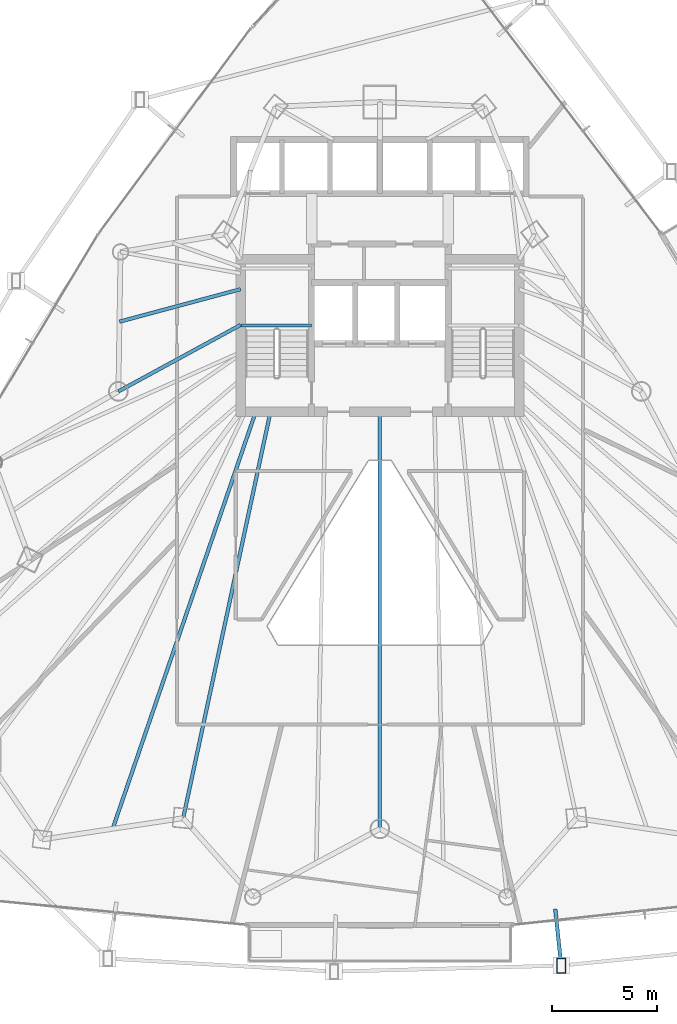
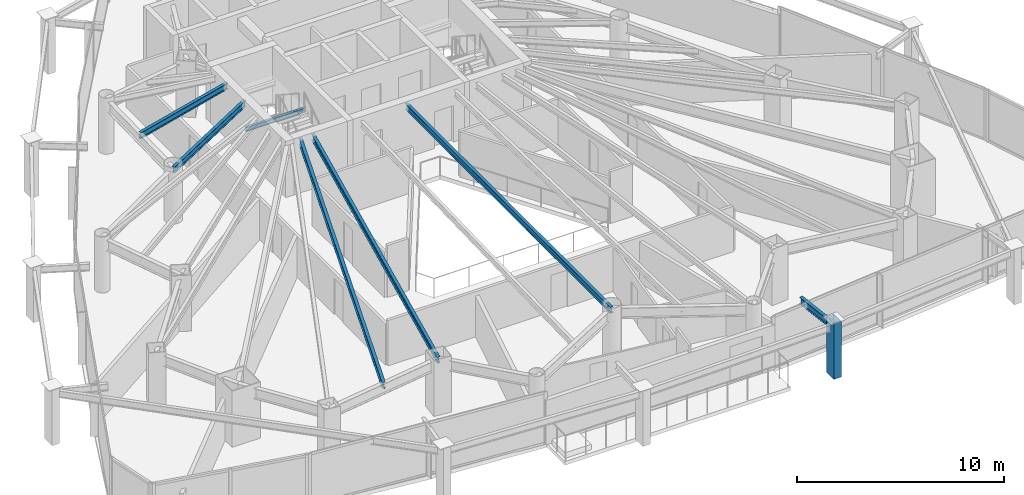
# One storey, part 12 of 33: 7 beams, 1 member.
"""IFC4 building model written with IfcOpenShell, lengths in metres."""

from ifc_helpers import new_model, si_unit, direction, frame, origin, origin_2d, place, context, subcontext, project, spatial, hollow_rectangle, i_section, extrude, material, material_profile, profile_set, type_object, element, save


model = new_model("IFC4")

# Units and contexts
model_context = context("Model", 3, precision=1e-05, world=origin(), true_north=direction((0.0, 1.0)))
body_context = subcontext(model_context, "Body", "Model", "MODEL_VIEW")
ifc_project = project(units=[si_unit("LENGTHUNIT", "METRE"), si_unit("AREAUNIT", "SQUARE_METRE"), si_unit("VOLUMEUNIT", "CUBIC_METRE"), si_unit("PLANEANGLEUNIT", "RADIAN"), si_unit("MASSUNIT", "GRAM", prefix="KILO")], contexts=[model_context])

# Site, building, storey
site_placement = place(None, origin())
site = spatial("IfcSite", under=ifc_project, at=site_placement, CompositionType="ELEMENT")
building_placement = place(site_placement, origin())
building = spatial("IfcBuilding", under=site, at=building_placement, Name="Orvanel Arch Residences", CompositionType="ELEMENT")
storey_placement = place(building_placement, frame((0.0, 0.0, 87.35009765625)))
storey = spatial("IfcBuildingStorey", under=building, at=storey_placement, Name="L24", CompositionType="ELEMENT", Elevation=87.35009765625)

# Beams
ifc_material_1 = material(Name="Structural steel AS/NZS 3679.1 Grade 300 (300 MPa)", Category="steel")
ifc_material_profile_1 = material_profile(ifc_material_1, i_section(OverallWidth=0.14599609375, OverallDepth=0.251953125, WebThickness=0.006103515625, FlangeThickness=0.008544921875, at=origin_2d()), Name="250UB31.4")
ifc_profile_set_1 = profile_set([ifc_material_profile_1], Name="Structural steel AS/NZS 3679.1 Grade 300 (300 MPa)")
beam_type_1 = type_object("IfcBeamType", Name="BJ-250UB", PredefinedType="JOIST", material=ifc_profile_set_1)
beam_1_placement = place(storey_placement, frame((26.39990234375, 30.780029296875, 1.323974609375), z_axis=(1.0, 0.0, 0.0), x_axis=(0.0, 1.0, 0.0)))
element("IfcBeam", 1, at=beam_1_placement, inside=storey, type_object=beam_type_1, Name="L24 ST-1 Half-Landing Support Beam 1.1", PredefinedType="JOIST", context=body_context, shape_type="SweptSolid", body=[
    extrude(i_section(OverallWidth=0.14599609375, OverallDepth=0.251953125, WebThickness=0.006103515625, FlangeThickness=0.008544921875, at=origin_2d()), origin(), (0.0, 0.0, 1.0), 3.35009765625),
])
ifc_material_profile_2 = material_profile(ifc_material_1, i_section(OverallWidth=0.1708984375, OverallDepth=0.35595703125, WebThickness=0.00732421875, FlangeThickness=0.011474609375, at=origin_2d()), Name="360UB50.7")
ifc_profile_set_2 = profile_set([ifc_material_profile_2], Name="Structural steel AS/NZS 3679.1 Grade 300 (300 MPa)")
beam_type_2 = type_object("IfcBeamType", Name="BJ-360UB", PredefinedType="JOIST", material=ifc_profile_set_2)
beam_2_placement = place(storey_placement, frame((26.375, 30.800048828125, 2.8818359375), z_axis=(-0.878399029914, -0.477927969726, 0.0), x_axis=(0.477927969726, -0.878399029914, 0.0)))
element("IfcBeam", 2, at=beam_2_placement, inside=storey, type_object=beam_type_2, Name="L24 NW Wing Floor Joist", PredefinedType="JOIST", context=body_context, shape_type="SweptSolid", body=[
    extrude(i_section(OverallWidth=0.1708984375, OverallDepth=0.35595703125, WebThickness=0.00732421875, FlangeThickness=0.011474609375, at=origin_2d()), origin(), (0.0, 0.0, 1.0), 6.609619140625),
])
beam_3_placement = place(storey_placement, frame((27.800048828125, 26.675048828125, 2.8818359375), z_axis=(-0.210066515515, -0.977687096703, 0.0), x_axis=(0.977687096703, -0.210066515515, 0.0)))
element("IfcBeam", 3, at=beam_3_placement, inside=storey, type_object=beam_type_2, Name="L24 SW Wing Floor Joist", PredefinedType="JOIST", context=body_context, shape_type="SweptSolid", body=[
    extrude(i_section(OverallWidth=0.1708984375, OverallDepth=0.35595703125, WebThickness=0.00732421875, FlangeThickness=0.011474609375, at=origin_2d()), origin(), (0.0, 0.0, 1.0), 19.760986328125),
])
beam_4_placement = place(storey_placement, frame((33.0, 26.675048828125, 2.8818359375), z_axis=(0.0, -1.0, 0.0), x_axis=(1.0, 0.0, 0.0)))
element("IfcBeam", 4, at=beam_4_placement, inside=storey, type_object=beam_type_2, Name="L24 SSW Wing Floor Joist", PredefinedType="JOIST", context=body_context, shape_type="SweptSolid", body=[
    extrude(i_section(OverallWidth=0.1708984375, OverallDepth=0.35595703125, WebThickness=0.00732421875, FlangeThickness=0.011474609375, at=origin_2d()), origin(), (0.0, 0.0, 1.0), 19.8310546875),
])
beam_5_placement = place(storey_placement, frame((26.375, 32.5, 2.8818359375), z_axis=(-0.965844838168, -0.259121107949, 0.0), x_axis=(0.259121107949, -0.965844838168, 0.0)))
element("IfcBeam", 5, at=beam_5_placement, inside=storey, type_object=beam_type_2, Name="L24 WNW Wing Floor Joist", PredefinedType="JOIST", context=body_context, shape_type="SweptSolid", body=[
    extrude(i_section(OverallWidth=0.1708984375, OverallDepth=0.35595703125, WebThickness=0.00732421875, FlangeThickness=0.011474609375, at=origin_2d()), origin(), (0.0, 0.0, 1.0), 5.95849609375),
])
beam_6_placement = place(storey_placement, frame((27.10009765625, 26.675048828125, 2.8818359375), z_axis=(-0.324621456495, -0.945844019901, 0.0), x_axis=(0.945844019901, -0.324621456495, 0.0)))
element("IfcBeam", 6, at=beam_6_placement, inside=storey, type_object=beam_type_2, Name="L24 JADD1 Wing Floor Joist", PredefinedType="JOIST", context=body_context, shape_type="SweptSolid", body=[
    extrude(i_section(OverallWidth=0.1708984375, OverallDepth=0.35595703125, WebThickness=0.00732421875, FlangeThickness=0.011474609375, at=origin_2d()), origin(), (0.0, 0.0, 1.0), 20.96337890625),
])

# Member
ifc_material_2 = material(Name="Structural steel AS/NZS 3678 Grade 350", Category="steel")
ifc_material_profile_3 = material_profile(ifc_material_2, hollow_rectangle(XDim=0.419921875, YDim=0.719970703125, WallThickness=0.02490234375, at=origin_2d()), Name="RHS720x420x25")
ifc_profile_set_3 = profile_set([ifc_material_profile_3], Name="Structural steel AS/NZS 3678 Grade 350")
member_type = type_object("IfcMemberType", Name="CH-720RHS-EXT", PredefinedType="CHORD", material=ifc_profile_set_3)
member_placement = place(storey_placement, frame((41.6201171875, 0.343017578125, 0.0), z_axis=(0.0, 0.0, 1.0), x_axis=(1.0, 0.0, 0.0)))
element("IfcMember", 7, at=member_placement, inside=storey, type_object=member_type, Name="L24 Outer Perimeter Frame Post 07", PredefinedType="CHORD", context=body_context, shape_type="SweptSolid", body=[
    extrude(hollow_rectangle(XDim=0.419921875, YDim=0.719970703125, WallThickness=0.02490234375, at=origin_2d()), origin(), (0.0, 0.0, 1.0), 3.2998046875),
])

# Beam
ifc_material_profile_4 = material_profile(ifc_material_1, i_section(OverallWidth=0.177978515625, OverallDepth=0.406005859375, WebThickness=0.0078125, FlangeThickness=0.0126953125, at=origin_2d()), Name="410UB59.7")
ifc_profile_set_4 = profile_set([ifc_material_profile_4], Name="Structural steel AS/NZS 3679.1 Grade 300 (300 MPa)")
beam_type_3 = type_object("IfcBeamType", Name="OB-410UB-EXT", PredefinedType="SPANDREL", material=ifc_profile_set_4)
beam_7_placement = place(storey_placement, frame((41.337890625, 3.037109375, 2.85693359375), z_axis=(0.104187464812, -0.994557676646, 0.0), x_axis=(0.994557676646, 0.104187464812, 0.0)))
element("IfcBeam", 8, at=beam_7_placement, inside=storey, type_object=beam_type_3, Name="L24 Outer Frame Radial Tie Beam 07", PredefinedType="SPANDREL", context=body_context, shape_type="SweptSolid", body=[
    extrude(i_section(OverallWidth=0.177978515625, OverallDepth=0.406005859375, WebThickness=0.0078125, FlangeThickness=0.0126953125, at=origin_2d()), origin(), (0.0, 0.0, 1.0), 2.708740234375),
])

save(model, "model.ifc")
